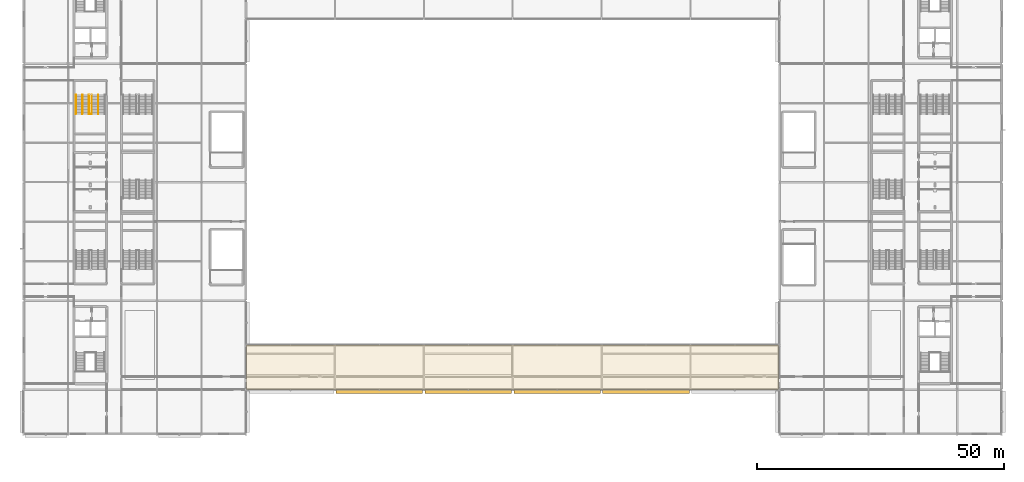
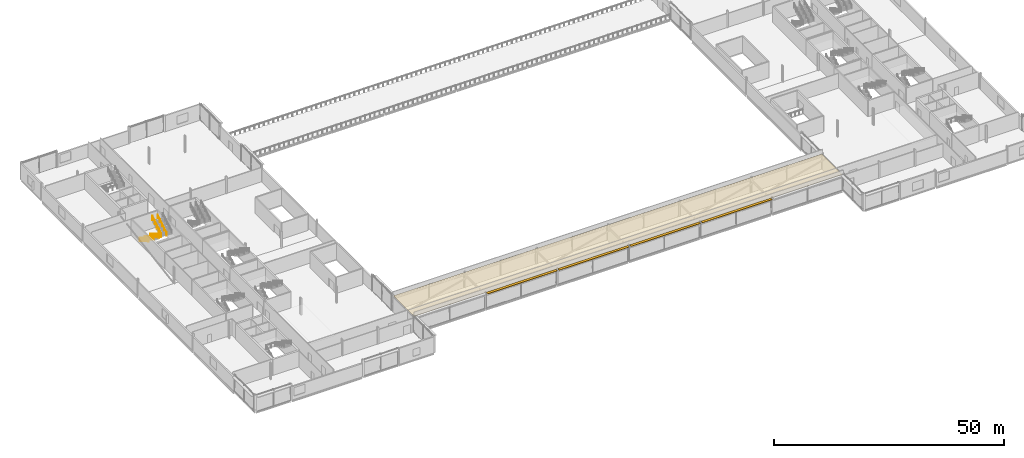
# One storey, part 67 of 73: 4 railings, 4 shading devices, 1 covering, 1 element without a shape of its own.
"""IFC4 building model written with IfcOpenShell, lengths in metres."""

from ifc_helpers import new_model, si_unit, direction, frame, origin, origin_2d, place, context, subcontext, project, spatial, polyline, rectangle, circle, outline, extrude, material, layer, layer_set, type_object, element, aggregate, save


model = new_model("IFC4")

# Units and contexts
model_context = context("Model", 3, precision=1e-05, world=origin(), true_north=direction((0.0, 1.0)))
body_context = subcontext(model_context, "Body", "Model", "MODEL_VIEW")
ifc_project = project(units=[si_unit("LENGTHUNIT", "METRE"), si_unit("AREAUNIT", "SQUARE_METRE"), si_unit("VOLUMEUNIT", "CUBIC_METRE"), si_unit("PLANEANGLEUNIT", "RADIAN"), si_unit("MASSUNIT", "GRAM", prefix="KILO")], contexts=[model_context])

# Site, building, storey
site_placement = place(None, origin())
site = spatial("IfcSite", under=ifc_project, at=site_placement, CompositionType="ELEMENT")
building_placement = place(site_placement, origin())
building = spatial("IfcBuilding", under=site, at=building_placement, Name="Kisiwana Market Hall", CompositionType="ELEMENT")
storey_placement = place(building_placement, frame((0.0, 0.0, 33.300048828125)))
storey = spatial("IfcBuildingStorey", under=building, at=storey_placement, Name="L07", CompositionType="ELEMENT", Elevation=33.300048828125)

# Roof, covering
ifc_material_1 = material(Name="Concrete C32/40", Category="concrete")
ifc_layer_1 = layer(ifc_material_1, 0.22998046875)
ifc_layer_set_1 = layer_set([ifc_layer_1], Name="RF-CROWN-FLAT")
roof_type = type_object("IfcRoofType", Name="RF-CROWN-FLAT", PredefinedType="FLAT_ROOF", material=ifc_layer_set_1)
roof_placement = place(storey_placement, origin())
roof = element("IfcRoof", 1, at=roof_placement, inside=storey, type_object=roof_type, Name="Flat roof assembly RF-L07-SBR", PredefinedType="FLAT_ROOF")
ifc_material_2 = material(Name="Aluminium alloy 3003 standing-seam sheet", Category="aluminium")
ifc_layer_2 = layer(ifc_material_2, 0.034912109375)
ifc_layer_set_2 = layer_set([ifc_layer_2], Name="COV-ROOF-SEAM")
covering_type = type_object("IfcCoveringType", Name="COV-ROOF-SEAM", PredefinedType="ROOFING", material=ifc_layer_set_2)
covering_placement = place(storey_placement, frame((0.0, 0.0, 4.050048828125)))
covering = element("IfcCovering", 2, at=covering_placement, type_object=covering_type, Name="Standing-seam roof membrane RF-L07-SBR", PredefinedType="ROOFING", context=body_context, shape_type="SweptSolid", body=[
    extrude(outline(polyline([(45.159912109375, 18.0), (152.840087890625, 18.0), (152.840087890625, 27.0), (45.159912109375, 27.0), (45.159912109375, 18.0)])), origin(), (0.0, 0.0, 1.0), 0.034912109375),
])
aggregate(roof, [covering])

# Railings
ifc_material_3 = material(Name="Steel S275", Category="steel")
railing_type_1 = type_object("IfcRailingType", Name="RL-GUARD-1100", PredefinedType="GUARDRAIL", material=ifc_material_3)
railing_1_placement = place(storey_placement, frame((13.219970703125, 77.639892578125, 0.0)))
element("IfcRailing", 3, at=railing_1_placement, inside=storey, type_object=railing_type_1, Name="Stair ST-W4-L07 inner-well guardrail (RL-1073)", PredefinedType="GUARDRAIL", context=body_context, shape_type="SweptSolid", body=[
    extrude(circle(Radius=0.02392578125, at=origin_2d()), frame((0.0, 0.0, 1.076171875), z_axis=(0.0, -0.86250956776, 0.506040754805), x_axis=(1.0, 0.0, 0.0)), (0.0, 0.0, 1.0), 4.4462890625),
    extrude(circle(Radius=0.02392578125, at=origin_2d()), frame((0.0, -3.8349609375, 3.326171875), z_axis=(1.0, 0.0, 0.0), x_axis=(0.0, 1.0, 0.0)), (0.0, 0.0, 1.0), 0.56005859375),
    extrude(circle(Radius=0.02392578125, at=origin_2d()), frame((0.56005859375, -3.8349609375, 3.326171875), z_axis=(0.0, 0.86250956776, 0.506040754805), x_axis=(-1.0, 0.0, 0.0)), (0.0, 0.0, 1.0), 4.4462890625),
    extrude(circle(Radius=0.02099609375, at=origin_2d()), origin(), (0.0, 0.0, 1.0), 1.052001953125),
    extrude(circle(Radius=0.02099609375, at=origin_2d()), frame((0.0, -0.958740234375, 0.5625)), (0.0, 0.0, 1.0), 1.052001953125),
    extrude(circle(Radius=0.02099609375, at=origin_2d()), frame((0.0, -1.91748046875, 1.125)), (0.0, 0.0, 1.0), 1.052001953125),
    extrude(circle(Radius=0.02099609375, at=origin_2d()), frame((0.0, -2.876220703125, 1.6875)), (0.0, 0.0, 1.0), 1.052001953125),
    extrude(circle(Radius=0.02099609375, at=origin_2d()), frame((0.0, -3.8349609375, 2.25)), (0.0, 0.0, 1.0), 1.052001953125),
    extrude(circle(Radius=0.02099609375, at=origin_2d()), frame((0.56005859375, -3.8349609375, 2.25)), (0.0, 0.0, 1.0), 1.052001953125),
    extrude(circle(Radius=0.02099609375, at=origin_2d()), frame((0.56005859375, -2.876220703125, 2.8125)), (0.0, 0.0, 1.0), 1.052001953125),
    extrude(circle(Radius=0.02099609375, at=origin_2d()), frame((0.56005859375, -1.91748046875, 3.375)), (0.0, 0.0, 1.0), 1.052001953125),
    extrude(circle(Radius=0.02099609375, at=origin_2d()), frame((0.56005859375, -0.958740234375, 3.9375)), (0.0, 0.0, 1.0), 1.052001953125),
    extrude(circle(Radius=0.02099609375, at=origin_2d()), frame((0.56005859375, 0.0, 4.5)), (0.0, 0.0, 1.0), 1.052001953125),
])
ifc_material_4 = material(Name="Steel S275", Category="steel")
railing_type_2 = type_object("IfcRailingType", Name="RL-HAND-900", PredefinedType="HANDRAIL", material=ifc_material_4)
for number, where, name in (
    (4, (10.570068359375, 77.639892578125, 0.0), "Stair ST-W4-L07 flight 1 handrail (RL-1074)"),
    (5, (11.889892578125, 77.639892578125, 0.0), "Stair ST-W4-L07 flight 1 intermediate handrail (RL-1076)"),
):
    element("IfcRailing", number, at=place(storey_placement, frame(where)), inside=storey, type_object=railing_type_2, Name=name, PredefinedType="HANDRAIL", context=body_context, shape_type="SweptSolid", body=[
        extrude(circle(Radius=0.02392578125, at=origin_2d()), frame((0.0, 0.0, 0.8759765625), z_axis=(0.0, -0.86250956776, 0.506040754805), x_axis=(1.0, 0.0, 0.0)), (0.0, 0.0, 1.0), 4.4462890625),
        extrude(circle(Radius=0.02099609375, at=origin_2d()), origin(), (0.0, 0.0, 1.0), 0.851806640625),
        extrude(circle(Radius=0.02099609375, at=origin_2d()), frame((0.0, -0.958740234375, 0.5625)), (0.0, 0.0, 1.0), 0.851806640625),
        extrude(circle(Radius=0.02099609375, at=origin_2d()), frame((0.0, -1.91748046875, 1.125)), (0.0, 0.0, 1.0), 0.851806640625),
        extrude(circle(Radius=0.02099609375, at=origin_2d()), frame((0.0, -2.876220703125, 1.6875)), (0.0, 0.0, 1.0), 0.851806640625),
        extrude(circle(Radius=0.02099609375, at=origin_2d()), frame((0.0, -3.8349609375, 2.25)), (0.0, 0.0, 1.0), 0.851806640625),
    ])
railing_2_placement = place(storey_placement, frame((15.110107421875, 73.804931640625, 2.25)))
element("IfcRailing", 6, at=railing_2_placement, inside=storey, type_object=railing_type_2, Name="Stair ST-W4-L07 flight 2 intermediate handrail (RL-1077)", PredefinedType="HANDRAIL", context=body_context, shape_type="SweptSolid", body=[
    extrude(circle(Radius=0.02392578125, at=origin_2d()), frame((0.0, 0.0, 0.8759765625), z_axis=(0.0, 0.86250956776, 0.506040754805), x_axis=(-1.0, 0.0, 0.0)), (0.0, 0.0, 1.0), 4.4462890625),
    extrude(circle(Radius=0.02099609375, at=origin_2d()), origin(), (0.0, 0.0, 1.0), 0.851806640625),
    extrude(circle(Radius=0.02099609375, at=origin_2d()), frame((0.0, 0.958740234375, 0.5625)), (0.0, 0.0, 1.0), 0.851806640625),
    extrude(circle(Radius=0.02099609375, at=origin_2d()), frame((0.0, 1.91748046875, 1.125)), (0.0, 0.0, 1.0), 0.851806640625),
    extrude(circle(Radius=0.02099609375, at=origin_2d()), frame((0.0, 2.876220703125, 1.6875)), (0.0, 0.0, 1.0), 0.851806640625),
    extrude(circle(Radius=0.02099609375, at=origin_2d()), frame((0.0, 3.8349609375, 2.25)), (0.0, 0.0, 1.0), 0.851806640625),
])

# Shading devices
ifc_material_5 = material(Name="Aluminium alloy 6063-T6", Category="aluminium")
shading_device_type = type_object("IfcShadingDeviceType", Name="SHD-JALOUSIE-H", PredefinedType="JALOUSIE", material=ifc_material_5)
for number, where, z_axis, x_axis, name in (
    (7, (72.0, 17.580078125, 4.074951171875), (0.0, 0.0, 1.0), (1.0, 0.0, 0.0), "Aluminium brise-soleil louvre SHD-160 SD-160"),
    (8, (90.0, 17.580078125, 4.074951171875), (0.0, 0.0, 1.0), (1.0, 0.0, 0.0), "Aluminium brise-soleil louvre SHD-161 SD-161"),
    (9, (108.0, 17.580078125, 4.074951171875), (0.0, 0.0, 1.0), (1.0, 0.0, 0.0), "Aluminium brise-soleil louvre SHD-162 SD-162"),
    (10, (126.0, 17.580078125, 4.074951171875), (0.0, 0.0, 1.0), (1.0, 0.0, 0.0), "Aluminium brise-soleil louvre SHD-163 SD-163"),
):
    element("IfcShadingDevice", number, at=place(storey_placement, frame(where, z_axis=z_axis, x_axis=x_axis)), inside=storey, type_object=shading_device_type, Name=name, PredefinedType="JALOUSIE", context=body_context, shape_type="SweptSolid", body=[
        extrude(rectangle(XDim=17.550048828125, YDim=0.64990234375, at=origin_2d()), origin(), (0.0, 0.0, 1.0), 0.1201171875),
    ])

save(model, "model.ifc")
